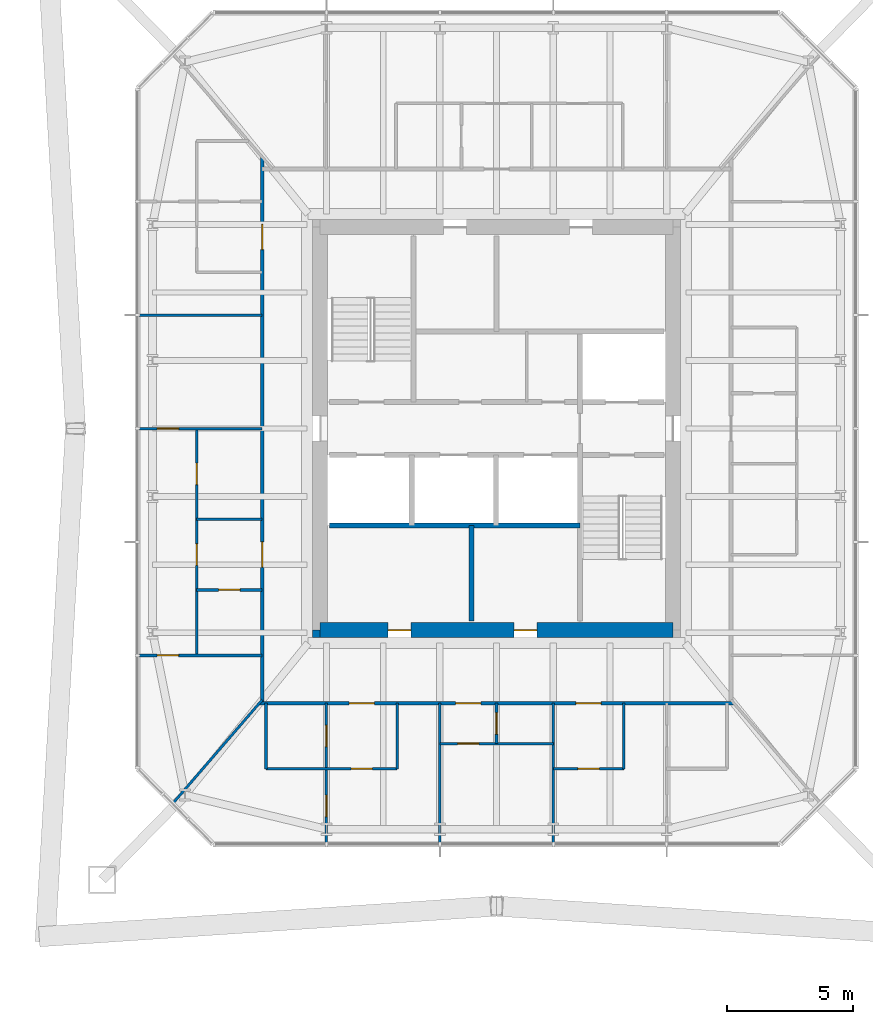
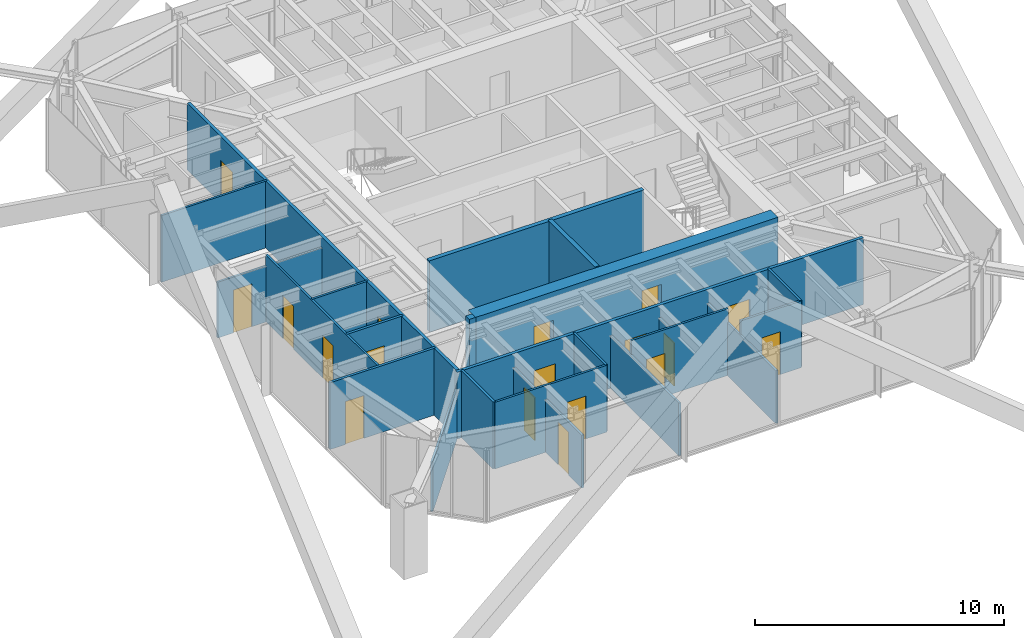
# One storey, part 14 of 21: 23 walls, 18 doors, 18 openings.
"""IFC4 building model written with IfcOpenShell, lengths in metres."""

from ifc_helpers import new_model, si_unit, direction, frame, frame_2d, origin, place, context, subcontext, project, spatial, rectangle, extrude, material, layer, layer_set, type_object, element, fill, save


model = new_model("IFC4")

# Units and contexts
model_context = context("Model", 3, precision=1e-05, world=origin(), true_north=direction((0.0, 1.0)))
body_context = subcontext(model_context, "Body", "Model", "MODEL_VIEW")
ifc_project = project(units=[si_unit("LENGTHUNIT", "METRE"), si_unit("AREAUNIT", "SQUARE_METRE"), si_unit("VOLUMEUNIT", "CUBIC_METRE"), si_unit("PLANEANGLEUNIT", "RADIAN"), si_unit("MASSUNIT", "GRAM", prefix="KILO")], contexts=[model_context])

# Site, building, storey
site_placement = place(None, origin())
site = spatial("IfcSite", under=ifc_project, at=site_placement, CompositionType="ELEMENT")
building_placement = place(site_placement, origin())
building = spatial("IfcBuilding", under=site, at=building_placement, Name="Iwan Alto Co-Living Towers", CompositionType="ELEMENT")
storey_placement = place(building_placement, frame((0.0, 0.0, 80.5)))
storey = spatial("IfcBuildingStorey", under=building, at=storey_placement, Name="L21", CompositionType="ELEMENT", Elevation=80.5)

# Wall, openings, doors
ifc_material_1 = material(Name="Gypsum board")
ifc_layer_1 = layer(ifc_material_1, 0.02490234375, Name="Board", Category="Finish")
ifc_material_2 = material(Name="Steel ASTM A1003 ST33H cold-formed studs", Category="steel")
ifc_layer_2 = layer(ifc_material_2, 0.10009765625, Name="Studs", Category="Framing")
ifc_layer_3 = layer(ifc_material_1, 0.02490234375, Name="Board", Category="Finish")
ifc_layer_set_1 = layer_set([ifc_layer_1, ifc_layer_2, ifc_layer_3], Name="CORRIDOR WALL 150")
wall_type_1 = type_object("IfcWallType", Name="CORRIDOR WALL 150", PredefinedType="PARTITIONING", material=ifc_layer_set_1)
wall_1_placement = place(storey_placement, frame((53.5859375, -10.89990234375, 0.0), z_axis=(0.0, 0.0, 1.0), x_axis=(1.0, 0.0, 0.0)))
wall_1 = element("IfcWall", 1, at=wall_1_placement, inside=storey, type_object=wall_type_1, Name="Partition L21", PredefinedType="PARTITIONING", context=body_context, shape_type="SweptSolid", body=[
    extrude(rectangle(XDim=18.828125, YDim=0.14990234375, at=frame_2d((9.4140625, 0.0))), origin(), (0.0, 0.0, 1.0), 3.27001953125),
])
opening_1_placement = place(wall_1_placement, frame((3.56396484375, 0.0, 0.0)))
opening_1 = element("IfcOpeningElement", 2, at=opening_1_placement, cuts=wall_1, Name="Opening D3", PredefinedType="OPENING", context=body_context, shape_type="SweptSolid", body=[
    extrude(rectangle(XDim=1.0, YDim=2.10009765625, at=frame_2d((0.5, 1.050048828125))), frame((0.0, 0.0849609375, 0.0), z_axis=(0.0, -1.0, 0.0), x_axis=(1.0, 0.0, 0.0)), (0.0, 0.0, 1.0), 0.169921875),
])
opening_2_placement = place(wall_1_placement, frame((7.7890625, 0.0, 0.0)))
opening_2 = element("IfcOpeningElement", 3, at=opening_2_placement, cuts=wall_1, Name="Opening D3", PredefinedType="OPENING", context=body_context, shape_type="SweptSolid", body=[
    extrude(rectangle(XDim=1.0, YDim=2.10009765625, at=frame_2d((0.5, 1.050048828125))), frame((0.0, 0.0849609375, 0.0), z_axis=(0.0, -1.0, 0.0), x_axis=(1.0, 0.0, 0.0)), (0.0, 0.0, 1.0), 0.169921875),
])
opening_3_placement = place(wall_1_placement, frame((12.56396484375, 0.0, 0.0)))
opening_3 = element("IfcOpeningElement", 4, at=opening_3_placement, cuts=wall_1, Name="Opening D3", PredefinedType="OPENING", context=body_context, shape_type="SweptSolid", body=[
    extrude(rectangle(XDim=1.0, YDim=2.10009765625, at=frame_2d((0.5, 1.050048828125))), frame((0.0, 0.0849609375, 0.0), z_axis=(0.0, -1.0, 0.0), x_axis=(1.0, 0.0, 0.0)), (0.0, 0.0, 1.0), 0.169921875),
])
ifc_material_3 = material(Name="Steel frame with timber leaf", Category="steel")
door_type_1 = type_object("IfcDoorType", Name="FLAT ENTRANCE DOOR FD30S 1000X2100", OperationType="SINGLE_SWING_LEFT", PredefinedType="DOOR", material=ifc_material_3)
door_1_placement = place(opening_1_placement, frame((1.0, 0.0, 0.0), z_axis=(0.0, 0.0, 1.0), x_axis=(-1.0, 0.0, 0.0)))
door_1 = element("IfcDoor", 5, at=door_1_placement, inside=storey, type_object=door_type_1, Name="Apartment foyer door L21", OperationType="SINGLE_SWING_RIGHT", OverallHeight=2.10009765625, OverallWidth=1.0, PredefinedType="DOOR", context=body_context, shape_type="SweptSolid", body=[
    extrude(rectangle(XDim=1.0, YDim=2.10009765625, at=frame_2d((0.5, 1.050048828125))), frame((0.0, 0.02490234375, 0.0), z_axis=(0.0, -1.0, 0.0), x_axis=(1.0, 0.0, 0.0)), (0.0, 0.0, 1.0), 0.050048828125),
])
fill(opening_1, door_1)
door_2_placement = place(opening_2_placement, frame((1.0, 0.0, 0.0), z_axis=(0.0, 0.0, 1.0), x_axis=(-1.0, 0.0, 0.0)))
door_2 = element("IfcDoor", 6, at=door_2_placement, inside=storey, type_object=door_type_1, Name="Studio foyer door L21", OperationType="SINGLE_SWING_RIGHT", OverallHeight=2.10009765625, OverallWidth=1.0, PredefinedType="DOOR", context=body_context, shape_type="SweptSolid", body=[
    extrude(rectangle(XDim=1.0, YDim=2.10009765625, at=frame_2d((0.5, 1.050048828125))), frame((0.0, 0.02490234375, 0.0), z_axis=(0.0, -1.0, 0.0), x_axis=(1.0, 0.0, 0.0)), (0.0, 0.0, 1.0), 0.050048828125),
])
fill(opening_2, door_2)
door_3_placement = place(opening_3_placement, frame((1.0, 0.0, 0.0), z_axis=(0.0, 0.0, 1.0), x_axis=(-1.0, 0.0, 0.0)))
door_3 = element("IfcDoor", 7, at=door_3_placement, inside=storey, type_object=door_type_1, Name="Apartment foyer door L21", OperationType="SINGLE_SWING_RIGHT", OverallHeight=2.10009765625, OverallWidth=1.0, PredefinedType="DOOR", context=body_context, shape_type="SweptSolid", body=[
    extrude(rectangle(XDim=1.0, YDim=2.10009765625, at=frame_2d((0.5, 1.050048828125))), frame((0.0, 0.02490234375, 0.0), z_axis=(0.0, -1.0, 0.0), x_axis=(1.0, 0.0, 0.0)), (0.0, 0.0, 1.0), 0.050048828125),
])
fill(opening_3, door_3)

wall_2_placement = place(storey_placement, frame((53.699951171875, -10.89990234375, 0.0), z_axis=(0.0, 0.0, 1.0), x_axis=(0.0, 1.0, 0.0)))
wall_2 = element("IfcWall", 8, at=wall_2_placement, inside=storey, type_object=wall_type_1, Name="Partition L21", PredefinedType="PARTITIONING", context=body_context, shape_type="SweptSolid", body=[
    extrude(rectangle(XDim=21.66796875, YDim=0.14990234375, at=frame_2d((10.833984375, 0.0))), origin(), (0.0, 0.0, 1.0), 3.27001953125),
])
opening_4_placement = place(wall_2_placement, frame((18.0, 0.0, 0.0)))
opening_4 = element("IfcOpeningElement", 9, at=opening_4_placement, cuts=wall_2, Name="Opening D3", PredefinedType="OPENING", context=body_context, shape_type="SweptSolid", body=[
    extrude(rectangle(XDim=1.0, YDim=2.10009765625, at=frame_2d((0.5, 1.050048828125))), frame((0.0, 0.0849609375, 0.0), z_axis=(0.0, -1.0, 0.0), x_axis=(1.0, 0.0, 0.0)), (0.0, 0.0, 1.0), 0.169921875),
])
opening_5_placement = place(wall_2_placement, frame((5.39990234375, 0.0, 0.0)))
opening_5 = element("IfcOpeningElement", 10, at=opening_5_placement, cuts=wall_2, Name="Opening D3", PredefinedType="OPENING", context=body_context, shape_type="SweptSolid", body=[
    extrude(rectangle(XDim=1.0, YDim=2.10009765625, at=frame_2d((0.5, 1.050048828125))), frame((0.0, 0.0849609375, 0.0), z_axis=(0.0, -1.0, 0.0), x_axis=(1.0, 0.0, 0.0)), (0.0, 0.0, 1.0), 0.169921875),
])
door_4_placement = place(opening_4_placement, origin())
door_4 = element("IfcDoor", 11, at=door_4_placement, inside=storey, type_object=door_type_1, Name="Apartment foyer door L21", OperationType="SINGLE_SWING_LEFT", OverallHeight=2.10009765625, OverallWidth=1.0, PredefinedType="DOOR", context=body_context, shape_type="SweptSolid", body=[
    extrude(rectangle(XDim=1.0, YDim=2.10009765625, at=frame_2d((0.5, 1.050048828125))), frame((0.0, 0.02490234375, 0.0), z_axis=(0.0, -1.0, 0.0), x_axis=(1.0, 0.0, 0.0)), (0.0, 0.0, 1.0), 0.050048828125),
])
fill(opening_4, door_4)
door_5_placement = place(opening_5_placement, origin())
door_5 = element("IfcDoor", 12, at=door_5_placement, inside=storey, type_object=door_type_1, Name="Apartment foyer door L21", OperationType="SINGLE_SWING_LEFT", OverallHeight=2.10009765625, OverallWidth=1.0, PredefinedType="DOOR", context=body_context, shape_type="SweptSolid", body=[
    extrude(rectangle(XDim=1.0, YDim=2.10009765625, at=frame_2d((0.5, 1.050048828125))), frame((0.0, 0.02490234375, 0.0), z_axis=(0.0, -1.0, 0.0), x_axis=(1.0, 0.0, 0.0)), (0.0, 0.0, 1.0), 0.050048828125),
])
fill(opening_5, door_5)

# Wall, opening, door
ifc_layer_4 = layer(ifc_material_1, 0.012451171875, Name="Board", Category="Finish")
ifc_layer_5 = layer(ifc_material_2, 0.074951171875, Name="Studs", Category="Framing")
ifc_layer_6 = layer(ifc_material_1, 0.012451171875, Name="Board", Category="Finish")
ifc_layer_set_2 = layer_set([ifc_layer_4, ifc_layer_5, ifc_layer_6], Name="PARTITION 100")
wall_type_2 = type_object("IfcWallType", Name="PARTITION 100", PredefinedType="PARTITIONING", material=ifc_layer_set_2)
wall_3_placement = place(storey_placement, frame((53.85009765625, -13.5, 0.0), z_axis=(0.0, 0.0, 1.0), x_axis=(1.0, 0.0, 0.0)))
wall_3 = element("IfcWall", 13, at=wall_3_placement, inside=storey, type_object=wall_type_2, Name="Partition L21", PredefinedType="PARTITIONING", context=body_context, shape_type="SweptSolid", body=[
    extrude(rectangle(XDim=5.199951171875, YDim=0.10009765625, at=frame_2d((2.60009765625, 0.0))), origin(), (0.0, 0.0, 1.0), 3.27001953125),
])
opening_6_placement = place(wall_3_placement, frame((3.375, 0.0, 0.0)))
opening_6 = element("IfcOpeningElement", 14, at=opening_6_placement, cuts=wall_3, Name="Opening D2", PredefinedType="OPENING", context=body_context, shape_type="SweptSolid", body=[
    extrude(rectangle(XDim=0.85009765625, YDim=2.10009765625, at=frame_2d((0.425048828125, 1.050048828125))), frame((0.0, 0.06005859375, 0.0), z_axis=(0.0, -1.0, 0.0), x_axis=(1.0, 0.0, 0.0)), (0.0, 0.0, 1.0), 0.1201171875),
])
ifc_material_4 = material(Name="Timber leaf in steel frame", Category="steel")
door_type_2 = type_object("IfcDoorType", Name="ROOM DOOR 850X2100", OperationType="SINGLE_SWING_LEFT", PredefinedType="DOOR", material=ifc_material_4)
door_6_placement = place(opening_6_placement, frame((0.85009765625, 0.0, 0.0), z_axis=(0.0, 0.0, 1.0), x_axis=(-1.0, 0.0, 0.0)))
door_6 = element("IfcDoor", 15, at=door_6_placement, inside=storey, type_object=door_type_2, Name="Apartment foyer door L21", OperationType="SINGLE_SWING_RIGHT", OverallHeight=2.10009765625, OverallWidth=0.85009765625, PredefinedType="DOOR", context=body_context, shape_type="SweptSolid", body=[
    extrude(rectangle(XDim=0.85009765625, YDim=2.10009765625, at=frame_2d((0.425048828125, 1.050048828125))), frame((0.0, 0.02490234375, 0.0), z_axis=(0.0, -1.0, 0.0), x_axis=(1.0, 0.0, 0.0)), (0.0, 0.0, 1.0), 0.050048828125),
])
fill(opening_6, door_6)

wall_4_placement = place(storey_placement, frame((65.25, -13.5, 0.0), z_axis=(0.0, 0.0, 1.0), x_axis=(1.0, 0.0, 0.0)))
wall_4 = element("IfcWall", 16, at=wall_4_placement, inside=storey, type_object=wall_type_2, Name="Partition L21", PredefinedType="PARTITIONING", context=body_context, shape_type="SweptSolid", body=[
    extrude(rectangle(XDim=2.800048828125, YDim=0.10009765625, at=frame_2d((1.39990234375, 0.0))), origin(), (0.0, 0.0, 1.0), 3.27001953125),
])
opening_7_placement = place(wall_4_placement, frame((0.97509765625, 0.0, 0.0)))
opening_7 = element("IfcOpeningElement", 17, at=opening_7_placement, cuts=wall_4, Name="Opening D2", PredefinedType="OPENING", context=body_context, shape_type="SweptSolid", body=[
    extrude(rectangle(XDim=0.85009765625, YDim=2.10009765625, at=frame_2d((0.425048828125, 1.050048828125))), frame((0.0, 0.06005859375, 0.0), z_axis=(0.0, -1.0, 0.0), x_axis=(1.0, 0.0, 0.0)), (0.0, 0.0, 1.0), 0.1201171875),
])
door_7_placement = place(opening_7_placement, frame((0.85009765625, 0.0, 0.0), z_axis=(0.0, 0.0, 1.0), x_axis=(-1.0, 0.0, 0.0)))
door_7 = element("IfcDoor", 18, at=door_7_placement, inside=storey, type_object=door_type_2, Name="Apartment foyer door L21", OperationType="SINGLE_SWING_RIGHT", OverallHeight=2.10009765625, OverallWidth=0.85009765625, PredefinedType="DOOR", context=body_context, shape_type="SweptSolid", body=[
    extrude(rectangle(XDim=0.85009765625, YDim=2.10009765625, at=frame_2d((0.425048828125, 1.050048828125))), frame((0.0, 0.02490234375, 0.0), z_axis=(0.0, -1.0, 0.0), x_axis=(1.0, 0.0, 0.0)), (0.0, 0.0, 1.0), 0.050048828125),
])
fill(opening_7, door_7)

wall_5_placement = place(storey_placement, frame((60.75, -12.5, 0.0), z_axis=(0.0, 0.0, 1.0), x_axis=(1.0, 0.0, 0.0)))
wall_5 = element("IfcWall", 19, at=wall_5_placement, inside=storey, type_object=wall_type_2, Name="Partition L21", PredefinedType="PARTITIONING", context=body_context, shape_type="SweptSolid", body=[
    extrude(rectangle(XDim=4.5, YDim=0.10009765625, at=frame_2d((2.25, 0.0))), origin(), (0.0, 0.0, 1.0), 3.27001953125),
])
opening_8_placement = place(wall_5_placement, frame((0.699951171875, 0.0, 0.0)))
opening_8 = element("IfcOpeningElement", 20, at=opening_8_placement, cuts=wall_5, Name="Opening D2", PredefinedType="OPENING", context=body_context, shape_type="SweptSolid", body=[
    extrude(rectangle(XDim=0.85009765625, YDim=2.10009765625, at=frame_2d((0.425048828125, 1.050048828125))), frame((0.0, 0.06005859375, 0.0), z_axis=(0.0, -1.0, 0.0), x_axis=(1.0, 0.0, 0.0)), (0.0, 0.0, 1.0), 0.1201171875),
])
door_8_placement = place(opening_8_placement, frame((0.85009765625, 0.0, 0.0), z_axis=(0.0, 0.0, 1.0), x_axis=(-1.0, 0.0, 0.0)))
door_8 = element("IfcDoor", 21, at=door_8_placement, inside=storey, type_object=door_type_2, Name="Studio and kitchenette door L21", OperationType="SINGLE_SWING_RIGHT", OverallHeight=2.10009765625, OverallWidth=0.85009765625, PredefinedType="DOOR", context=body_context, shape_type="SweptSolid", body=[
    extrude(rectangle(XDim=0.85009765625, YDim=2.10009765625, at=frame_2d((0.425048828125, 1.050048828125))), frame((0.0, 0.02490234375, 0.0), z_axis=(0.0, -1.0, 0.0), x_axis=(1.0, 0.0, 0.0)), (0.0, 0.0, 1.0), 0.050048828125),
])
fill(opening_8, door_8)

# Wall
wall_6_placement = place(storey_placement, frame((51.10009765625, -3.60009765625, 0.0), z_axis=(0.0, 0.0, 1.0), x_axis=(1.0, 0.0, 0.0)))
element("IfcWall", 22, at=wall_6_placement, inside=storey, type_object=wall_type_2, Name="Partition L21", PredefinedType="PARTITIONING", context=body_context, shape_type="SweptSolid", body=[
    extrude(rectangle(XDim=2.599853515625, YDim=0.10009765625, at=frame_2d((1.2998046875, 0.0))), origin(), (0.0, 0.0, 1.0), 3.27001953125),
])

# Wall, opening, door
wall_7_placement = place(storey_placement, frame((48.81005859375, 0.0, 0.0), z_axis=(0.0, 0.0, 1.0), x_axis=(1.0, 0.0, 0.0)))
wall_7 = element("IfcWall", 23, at=wall_7_placement, inside=storey, type_object=wall_type_2, Name="Partition L21", PredefinedType="PARTITIONING", context=body_context, shape_type="SweptSolid", body=[
    extrude(rectangle(XDim=4.889892578125, YDim=0.10009765625, at=frame_2d((2.44482421875, 0.0))), origin(), (0.0, 0.0, 1.0), 2.736572265625),
])
opening_9_placement = place(wall_7_placement, frame((0.719970703125, 0.0, 0.0)))
opening_9 = element("IfcOpeningElement", 24, at=opening_9_placement, cuts=wall_7, Name="Opening D2", PredefinedType="OPENING", context=body_context, shape_type="SweptSolid", body=[
    extrude(rectangle(XDim=0.85009765625, YDim=2.10009765625, at=frame_2d((0.425048828125, 1.050048828125))), frame((0.0, 0.06005859375, 0.0), z_axis=(0.0, -1.0, 0.0), x_axis=(1.0, 0.0, 0.0)), (0.0, 0.0, 1.0), 0.1201171875),
])
door_9_placement = place(opening_9_placement, origin())
door_9 = element("IfcDoor", 25, at=door_9_placement, inside=storey, type_object=door_type_2, Name="Bedroom door L21", OperationType="SINGLE_SWING_LEFT", OverallHeight=2.10009765625, OverallWidth=0.85009765625, PredefinedType="DOOR", context=body_context, shape_type="SweptSolid", body=[
    extrude(rectangle(XDim=0.85009765625, YDim=2.10009765625, at=frame_2d((0.425048828125, 1.050048828125))), frame((0.0, 0.02490234375, 0.0), z_axis=(0.0, -1.0, 0.0), x_axis=(1.0, 0.0, 0.0)), (0.0, 0.0, 1.0), 0.050048828125),
])
fill(opening_9, door_9)

# Walls
wall_8_placement = place(storey_placement, frame((48.81005859375, 4.5, 0.0), z_axis=(0.0, 0.0, 1.0), x_axis=(1.0, 0.0, 0.0)))
element("IfcWall", 26, at=wall_8_placement, inside=storey, type_object=wall_type_2, Name="Partition L21", PredefinedType="PARTITIONING", context=body_context, shape_type="SweptSolid", body=[
    extrude(rectangle(XDim=4.889892578125, YDim=0.10009765625, at=frame_2d((2.44482421875, 0.0))), origin(), (0.0, 0.0, 1.0), 3.27001953125),
])
wall_9_placement = place(storey_placement, frame((50.178955078125, -14.843994140625, 0.0), z_axis=(0.0, 0.0, 1.0), x_axis=(0.653713095188, 0.756742485381, 0.0)))
element("IfcWall", 27, at=wall_9_placement, inside=storey, type_object=wall_type_2, Name="Partition L21", PredefinedType="PARTITIONING", context=body_context, shape_type="SweptSolid", body=[
    extrude(rectangle(XDim=5.38623046875, YDim=0.10009765625, at=frame_2d((2.693115234375, 0.0))), origin(), (0.0, 0.0, 1.0), 2.42919921875),
])
wall_10_placement = place(storey_placement, frame((68.050048828125, -13.5, 0.0), z_axis=(0.0, 0.0, 1.0), x_axis=(0.0, 1.0, 0.0)))
element("IfcWall", 28, at=wall_10_placement, inside=storey, type_object=wall_type_2, Name="Partition L21", PredefinedType="PARTITIONING", context=body_context, shape_type="SweptSolid", body=[
    extrude(rectangle(XDim=2.60009765625, YDim=0.10009765625, at=frame_2d((1.300048828125, 0.0))), origin(), (0.0, 0.0, 1.0), 3.27001953125),
])
for number, where, z_axis, x_axis, name in (
    (29, (65.25, -16.43994140625, 0.0), (0.0, 0.0, 1.0), (0.0, 1.0, 0.0), "Partition L21"),
    (30, (60.75, -16.43994140625, 0.0), (0.0, 0.0, 1.0), (0.0, 1.0, 0.0), "Partition L21"),
):
    element("IfcWall", number, at=place(storey_placement, frame(where, z_axis=z_axis, x_axis=x_axis)), inside=storey, type_object=wall_type_2, Name=name, PredefinedType="PARTITIONING", context=body_context, shape_type="SweptSolid", body=[
        extrude(rectangle(XDim=5.5400390625, YDim=0.10009765625, at=frame_2d((2.77001953125, 0.0))), origin(), (0.0, 0.0, 1.0), 2.586669921875),
    ])
wall_11_placement = place(storey_placement, frame((59.050048828125, -13.5, 0.0), z_axis=(0.0, 0.0, 1.0), x_axis=(0.0, 1.0, 0.0)))
element("IfcWall", 31, at=wall_11_placement, inside=storey, type_object=wall_type_2, Name="Partition L21", PredefinedType="PARTITIONING", context=body_context, shape_type="SweptSolid", body=[
    extrude(rectangle(XDim=2.60009765625, YDim=0.10009765625, at=frame_2d((1.300048828125, 0.0))), origin(), (0.0, 0.0, 1.0), 3.27001953125),
])

# Wall, openings, doors
wall_12_placement = place(storey_placement, frame((56.25, -16.43994140625, 0.0), z_axis=(0.0, 0.0, 1.0), x_axis=(0.0, 1.0, 0.0)))
wall_12 = element("IfcWall", 32, at=wall_12_placement, inside=storey, type_object=wall_type_2, Name="Partition L21", PredefinedType="PARTITIONING", context=body_context, shape_type="SweptSolid", body=[
    extrude(rectangle(XDim=5.5400390625, YDim=0.10009765625, at=frame_2d((2.77001953125, 0.0))), origin(), (0.0, 0.0, 1.0), 2.586669921875),
])
opening_10_placement = place(wall_12_placement, frame((3.81494140625, 0.0, 0.0)))
opening_10 = element("IfcOpeningElement", 33, at=opening_10_placement, cuts=wall_12, Name="Opening D2", PredefinedType="OPENING", context=body_context, shape_type="SweptSolid", body=[
    extrude(rectangle(XDim=0.85009765625, YDim=2.10009765625, at=frame_2d((0.425048828125, 1.050048828125))), frame((0.0, 0.06005859375, 0.0), z_axis=(0.0, -1.0, 0.0), x_axis=(1.0, 0.0, 0.0)), (0.0, 0.0, 1.0), 0.1201171875),
])
opening_11_placement = place(wall_12_placement, frame((1.044921875, 0.0, 0.0)))
opening_11 = element("IfcOpeningElement", 34, at=opening_11_placement, cuts=wall_12, Name="Opening D2", PredefinedType="OPENING", context=body_context, shape_type="SweptSolid", body=[
    extrude(rectangle(XDim=0.85009765625, YDim=2.10009765625, at=frame_2d((0.425048828125, 1.050048828125))), frame((0.0, 0.06005859375, 0.0), z_axis=(0.0, -1.0, 0.0), x_axis=(1.0, 0.0, 0.0)), (0.0, 0.0, 1.0), 0.1201171875),
])
door_10_placement = place(opening_10_placement, origin())
door_10 = element("IfcDoor", 35, at=door_10_placement, inside=storey, type_object=door_type_2, Name="Bathroom door L21", OperationType="SINGLE_SWING_LEFT", OverallHeight=2.10009765625, OverallWidth=0.85009765625, PredefinedType="DOOR", context=body_context, shape_type="SweptSolid", body=[
    extrude(rectangle(XDim=0.85009765625, YDim=2.10009765625, at=frame_2d((0.425048828125, 1.050048828125))), frame((0.0, 0.02490234375, 0.0), z_axis=(0.0, -1.0, 0.0), x_axis=(1.0, 0.0, 0.0)), (0.0, 0.0, 1.0), 0.050048828125),
])
fill(opening_10, door_10)
door_11_placement = place(opening_11_placement, origin())
door_11 = element("IfcDoor", 36, at=door_11_placement, inside=storey, type_object=door_type_2, Name="Bedroom door L21", OperationType="SINGLE_SWING_RIGHT", OverallHeight=2.10009765625, OverallWidth=0.85009765625, PredefinedType="DOOR", context=body_context, shape_type="SweptSolid", body=[
    extrude(rectangle(XDim=0.85009765625, YDim=2.10009765625, at=frame_2d((0.425048828125, 1.050048828125))), frame((0.0, 0.02490234375, 0.0), z_axis=(0.0, -1.0, 0.0), x_axis=(1.0, 0.0, 0.0)), (0.0, 0.0, 1.0), 0.050048828125),
])
fill(opening_11, door_11)

wall_13_placement = place(storey_placement, frame((51.10009765625, -9.0, 0.0), z_axis=(0.0, 0.0, 1.0), x_axis=(0.0, 1.0, 0.0)))
wall_13 = element("IfcWall", 37, at=wall_13_placement, inside=storey, type_object=wall_type_2, Name="Partition L21", PredefinedType="PARTITIONING", context=body_context, shape_type="SweptSolid", body=[
    extrude(rectangle(XDim=9.0, YDim=0.10009765625, at=frame_2d((4.5, 0.0))), origin(), (0.0, 0.0, 1.0), 3.27001953125),
])
opening_12_placement = place(wall_13_placement, frame((6.77490234375, 0.0, 0.0)))
opening_12 = element("IfcOpeningElement", 38, at=opening_12_placement, cuts=wall_13, Name="Opening D2", PredefinedType="OPENING", context=body_context, shape_type="SweptSolid", body=[
    extrude(rectangle(XDim=0.85009765625, YDim=2.10009765625, at=frame_2d((0.425048828125, 1.050048828125))), frame((0.0, 0.06005859375, 0.0), z_axis=(0.0, -1.0, 0.0), x_axis=(1.0, 0.0, 0.0)), (0.0, 0.0, 1.0), 0.1201171875),
])
opening_13_placement = place(wall_13_placement, frame((3.574951171875, 0.0, 0.0)))
opening_13 = element("IfcOpeningElement", 39, at=opening_13_placement, cuts=wall_13, Name="Opening D2", PredefinedType="OPENING", context=body_context, shape_type="SweptSolid", body=[
    extrude(rectangle(XDim=0.85009765625, YDim=2.10009765625, at=frame_2d((0.425048828125, 1.050048828125))), frame((0.0, 0.06005859375, 0.0), z_axis=(0.0, -1.0, 0.0), x_axis=(1.0, 0.0, 0.0)), (0.0, 0.0, 1.0), 0.1201171875),
])
door_12_placement = place(opening_12_placement, origin())
door_12 = element("IfcDoor", 40, at=door_12_placement, inside=storey, type_object=door_type_2, Name="Kitchen door L21", OperationType="SINGLE_SWING_RIGHT", OverallHeight=2.10009765625, OverallWidth=0.85009765625, PredefinedType="DOOR", context=body_context, shape_type="SweptSolid", body=[
    extrude(rectangle(XDim=0.85009765625, YDim=2.10009765625, at=frame_2d((0.425048828125, 1.050048828125))), frame((0.0, 0.02490234375, 0.0), z_axis=(0.0, -1.0, 0.0), x_axis=(1.0, 0.0, 0.0)), (0.0, 0.0, 1.0), 0.050048828125),
])
fill(opening_12, door_12)
door_13_placement = place(opening_13_placement, origin())
door_13 = element("IfcDoor", 41, at=door_13_placement, inside=storey, type_object=door_type_2, Name="Apartment foyer door L21", OperationType="SINGLE_SWING_LEFT", OverallHeight=2.10009765625, OverallWidth=0.85009765625, PredefinedType="DOOR", context=body_context, shape_type="SweptSolid", body=[
    extrude(rectangle(XDim=0.85009765625, YDim=2.10009765625, at=frame_2d((0.425048828125, 1.050048828125))), frame((0.0, 0.02490234375, 0.0), z_axis=(0.0, -1.0, 0.0), x_axis=(1.0, 0.0, 0.0)), (0.0, 0.0, 1.0), 0.050048828125),
])
fill(opening_13, door_13)

# Walls
ifc_material_5 = material(Name="Concrete f'c 70 MPa", Category="concrete")
ifc_layer_7 = layer(ifc_material_5, 0.199951171875)
ifc_layer_set_3 = layer_set([ifc_layer_7], Name="SHAFT WALL 200")
wall_type_3 = type_object("IfcWallType", Name="SHAFT WALL 200", PredefinedType="SOLIDWALL", material=ifc_layer_set_3)
wall_14_placement = place(storey_placement, frame((56.360107421875, -3.85009765625, 0.0), z_axis=(0.0, 0.0, 1.0), x_axis=(1.0, 0.0, 0.0)))
element("IfcWall", 42, at=wall_14_placement, inside=storey, type_object=wall_type_3, Name="Shaft wall L21", PredefinedType="SOLIDWALL", context=body_context, shape_type="SweptSolid", body=[
    extrude(rectangle(XDim=9.93994140625, YDim=0.199951171875, at=frame_2d((4.969970703125, 0.0))), origin(), (0.0, 0.0, 1.0), 3.5),
])
wall_15_placement = place(storey_placement, frame((62.0, -7.639892578125, 0.0), z_axis=(0.0, 0.0, 1.0), x_axis=(0.0, 1.0, 0.0)))
element("IfcWall", 43, at=wall_15_placement, inside=storey, type_object=wall_type_3, Name="Shaft wall L21", PredefinedType="SOLIDWALL", context=body_context, shape_type="SweptSolid", body=[
    extrude(rectangle(XDim=3.789794921875, YDim=0.199951171875, at=frame_2d((1.89501953125, 0.0))), origin(), (0.0, 0.0, 1.0), 3.5),
])
ifc_material_6 = material(Name="Concrete f'c 70 MPa", Category="concrete")
ifc_layer_8 = layer(ifc_material_6, 0.300048828125)
ifc_layer_set_4 = layer_set([ifc_layer_8], Name="T2 CORE CORNER FILL 300")
wall_type_4 = type_object("IfcWallType", Name="T2 CORE CORNER FILL 300", PredefinedType="SOLIDWALL", material=ifc_layer_set_4)
wall_16_placement = place(storey_placement, frame((55.699951171875, -8.14990234375, 0.0), z_axis=(0.0, 0.0, 1.0), x_axis=(1.0, 0.0, 0.0)))
element("IfcWall", 44, at=wall_16_placement, inside=storey, type_object=wall_type_4, Name="T2 core corner SW L21", PredefinedType="SOLIDWALL", context=body_context, shape_type="SweptSolid", body=[
    extrude(rectangle(XDim=0.300048828125, YDim=0.300048828125, at=frame_2d((0.14990234375, 0.0))), origin(), (0.0, 0.0, 1.0), 3.5),
])

# Wall, openings, doors
ifc_material_7 = material(Name="Concrete f'c 70 MPa", Category="concrete")
ifc_layer_9 = layer(ifc_material_7, 0.60009765625)
ifc_layer_set_5 = layer_set([ifc_layer_9], Name="T2 CORE WALL 600")
wall_type_5 = type_object("IfcWallType", Name="T2 CORE WALL 600", PredefinedType="SHEAR", material=ifc_layer_set_5)
wall_17_placement = place(storey_placement, frame((56.0, -8.0, 0.0), z_axis=(0.0, 0.0, 1.0), x_axis=(1.0, 0.0, 0.0)))
wall_17 = element("IfcWall", 45, at=wall_17_placement, inside=storey, type_object=wall_type_5, Name="T2 core wall S L21", PredefinedType="SHEAR", context=body_context, shape_type="SweptSolid", body=[
    extrude(rectangle(XDim=14.0, YDim=0.60009765625, at=frame_2d((7.0, 0.0))), origin(), (0.0, 0.0, 1.0), 3.5),
])
opening_14_placement = place(wall_17_placement, frame((2.699951171875, 0.0, 0.0)))
opening_14 = element("IfcOpeningElement", 46, at=opening_14_placement, cuts=wall_17, Name="Opening D8", PredefinedType="OPENING", context=body_context, shape_type="SweptSolid", body=[
    extrude(rectangle(XDim=0.89990234375, YDim=2.10009765625, at=frame_2d((0.449951171875, 1.050048828125))), frame((0.0, 0.31005859375, 0.0), z_axis=(0.0, -1.0, 0.0), x_axis=(1.0, 0.0, 0.0)), (0.0, 0.0, 1.0), 0.6201171875),
])
opening_15_placement = place(wall_17_placement, frame((7.699951171875, 0.0, 0.0)))
opening_15 = element("IfcOpeningElement", 47, at=opening_15_placement, cuts=wall_17, Name="Opening D8", PredefinedType="OPENING", context=body_context, shape_type="SweptSolid", body=[
    extrude(rectangle(XDim=0.89990234375, YDim=2.10009765625, at=frame_2d((0.449951171875, 1.050048828125))), frame((0.0, 0.31005859375, 0.0), z_axis=(0.0, -1.0, 0.0), x_axis=(1.0, 0.0, 0.0)), (0.0, 0.0, 1.0), 0.6201171875),
])
ifc_material_8 = material(Name="Steel frame with timber leaf", Category="steel")
door_type_3 = type_object("IfcDoorType", Name="RISER DOOR FD120 900X2100", OperationType="SINGLE_SWING_LEFT", PredefinedType="DOOR", material=ifc_material_8)
door_14_placement = place(opening_14_placement, origin())
door_14 = element("IfcDoor", 48, at=door_14_placement, inside=storey, type_object=door_type_3, Name="Refuse room core door L21", OperationType="SINGLE_SWING_LEFT", OverallHeight=2.10009765625, OverallWidth=0.89990234375, PredefinedType="DOOR", context=body_context, shape_type="SweptSolid", body=[
    extrude(rectangle(XDim=0.89990234375, YDim=2.10009765625, at=frame_2d((0.449951171875, 1.050048828125))), frame((0.0, 0.02490234375, 0.0), z_axis=(0.0, -1.0, 0.0), x_axis=(1.0, 0.0, 0.0)), (0.0, 0.0, 1.0), 0.050048828125),
])
fill(opening_14, door_14)
door_15_placement = place(opening_15_placement, origin())
door_15 = element("IfcDoor", 49, at=door_15_placement, inside=storey, type_object=door_type_3, Name="Telecom riser core door L21", OperationType="SINGLE_SWING_LEFT", OverallHeight=2.10009765625, OverallWidth=0.89990234375, PredefinedType="DOOR", context=body_context, shape_type="SweptSolid", body=[
    extrude(rectangle(XDim=0.89990234375, YDim=2.10009765625, at=frame_2d((0.449951171875, 1.050048828125))), frame((0.0, 0.02490234375, 0.0), z_axis=(0.0, -1.0, 0.0), x_axis=(1.0, 0.0, 0.0)), (0.0, 0.0, 1.0), 0.050048828125),
])
fill(opening_15, door_15)

# Wall, opening, door
ifc_material_9 = material(Name="Cement board")
ifc_layer_10 = layer(ifc_material_9, 0.012451171875, Name="Board", Category="Finish")
ifc_layer_11 = layer(ifc_material_2, 0.094970703125, Name="Studs", Category="Framing")
ifc_layer_12 = layer(ifc_material_9, 0.012451171875, Name="Board", Category="Finish")
ifc_layer_set_6 = layer_set([ifc_layer_10, ifc_layer_11, ifc_layer_12], Name="WET AREA PARTITION 120")
wall_type_6 = type_object("IfcWallType", Name="WET AREA PARTITION 120", PredefinedType="PARTITIONING", material=ifc_layer_set_6)
wall_18_placement = place(storey_placement, frame((48.81005859375, -9.0, 0.0), z_axis=(0.0, 0.0, 1.0), x_axis=(1.0, 0.0, 0.0)))
wall_18 = element("IfcWall", 50, at=wall_18_placement, inside=storey, type_object=wall_type_6, Name="Partition L21", PredefinedType="PARTITIONING", context=body_context, shape_type="SweptSolid", body=[
    extrude(rectangle(XDim=4.889892578125, YDim=0.1201171875, at=frame_2d((2.44482421875, 0.0))), origin(), (0.0, 0.0, 1.0), 3.27001953125),
])
opening_16_placement = place(wall_18_placement, frame((0.719970703125, 0.0, 0.0)))
opening_16 = element("IfcOpeningElement", 51, at=opening_16_placement, cuts=wall_18, Name="Opening D2", PredefinedType="OPENING", context=body_context, shape_type="SweptSolid", body=[
    extrude(rectangle(XDim=0.85009765625, YDim=2.10009765625, at=frame_2d((0.425048828125, 1.050048828125))), frame((0.0, 0.070068359375, 0.0), z_axis=(0.0, -1.0, 0.0), x_axis=(1.0, 0.0, 0.0)), (0.0, 0.0, 1.0), 0.14013671875),
])
door_16_placement = place(opening_16_placement, origin())
door_16 = element("IfcDoor", 52, at=door_16_placement, inside=storey, type_object=door_type_2, Name="Bedroom door L21", OperationType="SINGLE_SWING_RIGHT", OverallHeight=2.10009765625, OverallWidth=0.85009765625, PredefinedType="DOOR", context=body_context, shape_type="SweptSolid", body=[
    extrude(rectangle(XDim=0.85009765625, YDim=2.10009765625, at=frame_2d((0.425048828125, 1.050048828125))), frame((0.0, 0.02490234375, 0.0), z_axis=(0.0, -1.0, 0.0), x_axis=(1.0, 0.0, 0.0)), (0.0, 0.0, 1.0), 0.050048828125),
])
fill(opening_16, door_16)

wall_19_placement = place(storey_placement, frame((51.10009765625, -6.39990234375, 0.0), z_axis=(0.0, 0.0, 1.0), x_axis=(1.0, 0.0, 0.0)))
wall_19 = element("IfcWall", 53, at=wall_19_placement, inside=storey, type_object=wall_type_6, Name="Partition L21", PredefinedType="PARTITIONING", context=body_context, shape_type="SweptSolid", body=[
    extrude(rectangle(XDim=2.599853515625, YDim=0.1201171875, at=frame_2d((1.2998046875, 0.0))), origin(), (0.0, 0.0, 1.0), 3.27001953125),
])
opening_17_placement = place(wall_19_placement, frame((0.875, 0.0, 0.0)))
opening_17 = element("IfcOpeningElement", 54, at=opening_17_placement, cuts=wall_19, Name="Opening D2", PredefinedType="OPENING", context=body_context, shape_type="SweptSolid", body=[
    extrude(rectangle(XDim=0.85009765625, YDim=2.10009765625, at=frame_2d((0.425048828125, 1.050048828125))), frame((0.0, 0.070068359375, 0.0), z_axis=(0.0, -1.0, 0.0), x_axis=(1.0, 0.0, 0.0)), (0.0, 0.0, 1.0), 0.14013671875),
])
door_17_placement = place(opening_17_placement, frame((0.85009765625, 0.0, 0.0), z_axis=(0.0, 0.0, 1.0), x_axis=(-1.0, 0.0, 0.0)))
door_17 = element("IfcDoor", 55, at=door_17_placement, inside=storey, type_object=door_type_2, Name="Bathroom door L21", OperationType="SINGLE_SWING_RIGHT", OverallHeight=2.10009765625, OverallWidth=0.85009765625, PredefinedType="DOOR", context=body_context, shape_type="SweptSolid", body=[
    extrude(rectangle(XDim=0.85009765625, YDim=2.10009765625, at=frame_2d((0.425048828125, 1.050048828125))), frame((0.0, 0.02490234375, 0.0), z_axis=(0.0, -1.0, 0.0), x_axis=(1.0, 0.0, 0.0)), (0.0, 0.0, 1.0), 0.050048828125),
])
fill(opening_17, door_17)

wall_20_placement = place(storey_placement, frame((63.0, -12.5, 0.0), z_axis=(0.0, 0.0, 1.0), x_axis=(0.0, 1.0, 0.0)))
wall_20 = element("IfcWall", 56, at=wall_20_placement, inside=storey, type_object=wall_type_6, Name="Partition L21", PredefinedType="PARTITIONING", context=body_context, shape_type="SweptSolid", body=[
    extrude(rectangle(XDim=1.60009765625, YDim=0.1201171875, at=frame_2d((0.800048828125, 0.0))), origin(), (0.0, 0.0, 1.0), 2.662841796875),
])
opening_18_placement = place(wall_20_placement, frame((0.375, 0.0, 0.0)))
opening_18 = element("IfcOpeningElement", 57, at=opening_18_placement, cuts=wall_20, Name="Opening D2", PredefinedType="OPENING", context=body_context, shape_type="SweptSolid", body=[
    extrude(rectangle(XDim=0.85009765625, YDim=2.10009765625, at=frame_2d((0.425048828125, 1.050048828125))), frame((0.0, 0.070068359375, 0.0), z_axis=(0.0, -1.0, 0.0), x_axis=(1.0, 0.0, 0.0)), (0.0, 0.0, 1.0), 0.14013671875),
])
door_18_placement = place(opening_18_placement, frame((0.85009765625, 0.0, 0.0), z_axis=(0.0, 0.0, 1.0), x_axis=(-1.0, 0.0, 0.0)))
door_18 = element("IfcDoor", 58, at=door_18_placement, inside=storey, type_object=door_type_2, Name="Shower room door L21", OperationType="SINGLE_SWING_RIGHT", OverallHeight=2.10009765625, OverallWidth=0.85009765625, PredefinedType="DOOR", context=body_context, shape_type="SweptSolid", body=[
    extrude(rectangle(XDim=0.85009765625, YDim=2.10009765625, at=frame_2d((0.425048828125, 1.050048828125))), frame((0.0, 0.02490234375, 0.0), z_axis=(0.0, -1.0, 0.0), x_axis=(1.0, 0.0, 0.0)), (0.0, 0.0, 1.0), 0.050048828125),
])
fill(opening_18, door_18)

# Wall
wall_21_placement = place(storey_placement, frame((53.85009765625, -13.5, 0.0), z_axis=(0.0, 0.0, 1.0), x_axis=(0.0, 1.0, 0.0)))
element("IfcWall", 59, at=wall_21_placement, inside=storey, type_object=wall_type_6, Name="Partition L21", PredefinedType="PARTITIONING", context=body_context, shape_type="SweptSolid", body=[
    extrude(rectangle(XDim=2.60009765625, YDim=0.1201171875, at=frame_2d((1.300048828125, 0.0))), origin(), (0.0, 0.0, 1.0), 3.27001953125),
])

save(model, "model.ifc")
